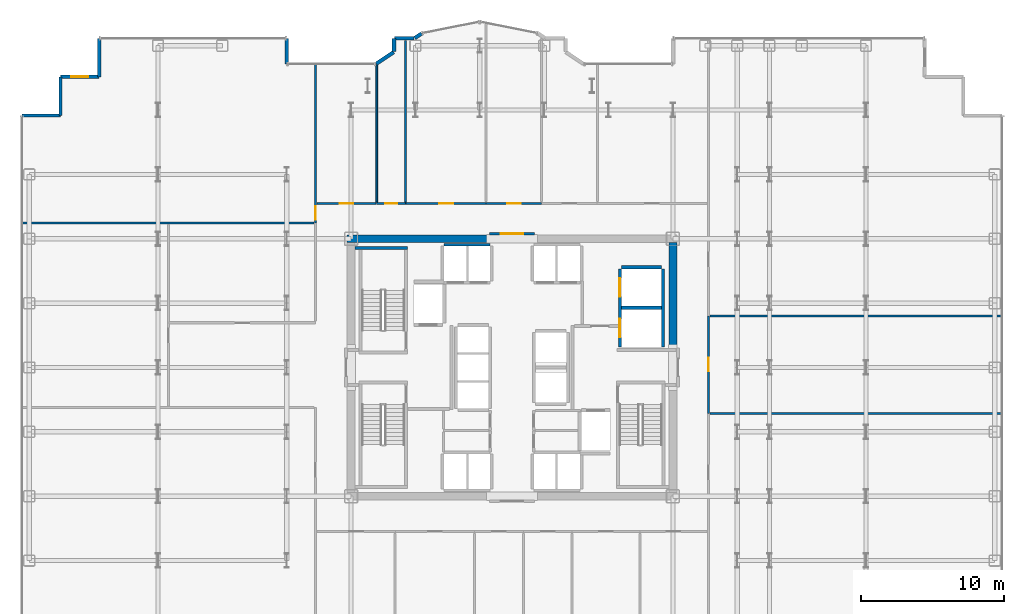
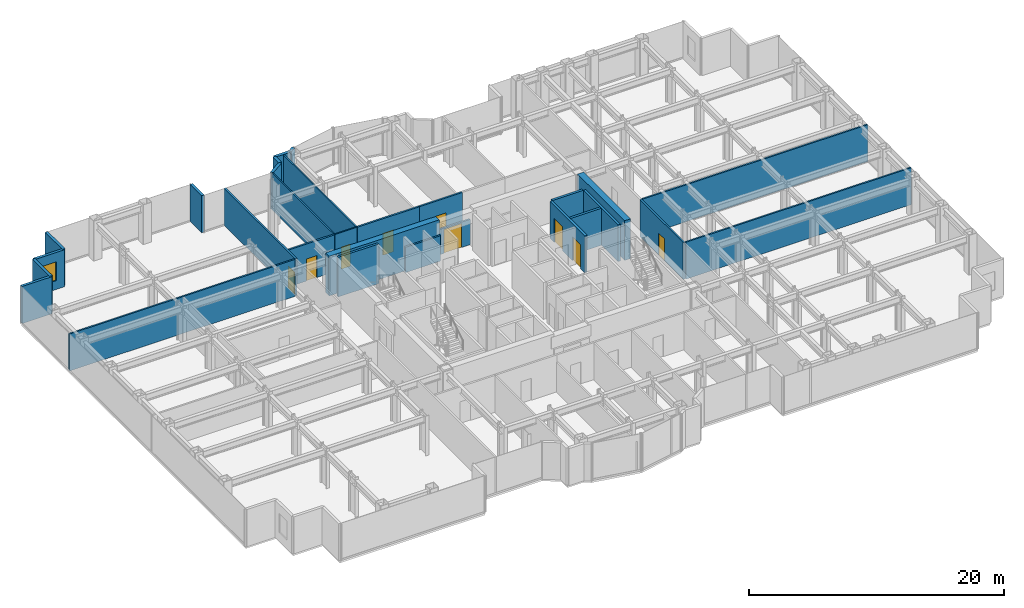
# One storey, part 23 of 25: 29 walls, 9 doors, 1 window, 10 openings.
"""IFC4 building model written with IfcOpenShell, lengths in metres."""

from ifc_helpers import new_model, si_unit, direction, frame, frame_2d, origin, place, context, subcontext, project, spatial, rectangle, extrude, source, transform, mapped, material, layer, layer_set, type_object, element, fill, save


model = new_model("IFC4")

# Units and contexts
model_context = context("Model", 3, precision=1e-05, world=origin(), true_north=direction((0.0, 1.0)))
body_context = subcontext(model_context, "Body", "Model", "MODEL_VIEW")
ifc_project = project(units=[si_unit("LENGTHUNIT", "METRE"), si_unit("AREAUNIT", "SQUARE_METRE"), si_unit("VOLUMEUNIT", "CUBIC_METRE"), si_unit("PLANEANGLEUNIT", "RADIAN"), si_unit("MASSUNIT", "GRAM", prefix="KILO")], contexts=[model_context])

# Site, building, storey
site_placement = place(None, origin())
site = spatial("IfcSite", under=ifc_project, at=site_placement, CompositionType="ELEMENT")
building_placement = place(site_placement, origin())
building = spatial("IfcBuilding", under=site, at=building_placement, Name="Nefas-Gora Pilgrimage Tower", CompositionType="ELEMENT")
storey_placement = place(building_placement, frame((0.0, 0.0, 109.800048828125)))
storey = spatial("IfcBuildingStorey", under=building, at=storey_placement, Name="L26", CompositionType="ELEMENT", Elevation=109.800048828125)

# Walls
ifc_material_1 = material(Name="Concrete C60/75", Category="concrete")
ifc_layer_1 = layer(ifc_material_1, 0.550048828125)
ifc_layer_set_1 = layer_set([ifc_layer_1], Name="Concrete C60/75")
wall_type_1 = type_object("IfcWallType", Name="SW-CORE-550", PredefinedType="SHEAR", material=ifc_layer_set_1)
shared_shape_1 = source(origin(), body_context, "Body", "SweptSolid", [
    extrude(rectangle(XDim=9.974853515625, YDim=0.550048828125, at=frame_2d((4.9873046875, 0.0))), origin(), (0.0, 0.0, 1.0), 3.800048828125),
])
wall_1_placement = place(storey_placement, frame((-11.52490234375, 9.0, 0.0), z_axis=(0.0, 0.0, 1.0), x_axis=(1.0, 0.0, 0.0)))
element("IfcWall", 1, at=wall_1_placement, inside=storey, type_object=wall_type_1, Name="L26 Core Shear Wall N-West", PredefinedType="SHEAR", context=body_context, shape_type="MappedRepresentation", body=[
    mapped(shared_shape_1, transform((0.0, 0.0, 0.0), x_axis=(1.0, 0.0, 0.0), y_axis=(0.0, 1.0, 0.0), z_axis=(0.0, 0.0, 1.0), scale=1.0)),
])
shared_shape_2 = source(origin(), body_context, "Body", "SweptSolid", [
    extrude(rectangle(XDim=7.375, YDim=0.550048828125, at=frame_2d((3.6875, 0.0))), origin(), (0.0, 0.0, 1.0), 3.800048828125),
])
wall_2_placement = place(storey_placement, frame((11.25, 1.35009765625, 0.0), z_axis=(0.0, 0.0, 1.0), x_axis=(0.0, 1.0, 0.0)))
element("IfcWall", 2, at=wall_2_placement, inside=storey, type_object=wall_type_1, Name="L26 Core Shear Wall E-North", PredefinedType="SHEAR", context=body_context, shape_type="MappedRepresentation", body=[
    mapped(shared_shape_2, transform((0.0, 0.0, 0.0), x_axis=(1.0, 0.0, 0.0), y_axis=(0.0, 1.0, 0.0), z_axis=(0.0, 0.0, 1.0), scale=1.0)),
])
ifc_material_2 = material(Name="Precast concrete C40/50", Category="concrete")
ifc_layer_2 = layer(ifc_material_2, 0.260009765625)
ifc_layer_set_2 = layer_set([ifc_layer_2], Name="Precast concrete C40/50")
wall_type_2 = type_object("IfcWallType", Name="EW-PORTAL-260", PredefinedType="SOLIDWALL", material=ifc_layer_set_2)
shared_shape_3 = source(origin(), body_context, "Body", "SweptSolid", [
    extrude(rectangle(XDim=1.800048828125, YDim=0.260009765625, at=frame_2d((0.89990234375, 0.0))), origin(), (0.0, 0.0, 1.0), 3.550048828125),
])
wall_3_placement = place(storey_placement, frame((-15.75, 21.219970703125, 0.0), z_axis=(0.0, 0.0, 1.0), x_axis=(0.0, 1.0, 0.0)))
element("IfcWall", 3, at=wall_3_placement, inside=storey, type_object=wall_type_2, Name="L26 Lobe Shoulder Precast Spandrel Pier 19", PredefinedType="SOLIDWALL", context=body_context, shape_type="MappedRepresentation", body=[
    mapped(shared_shape_3, transform((0.0, 0.0, 0.0), x_axis=(1.0, 0.0, 0.0), y_axis=(0.0, 1.0, 0.0), z_axis=(0.0, 0.0, 1.0), scale=1.0)),
])
ifc_material_3 = material(Name="Precast concrete C45/55", Category="concrete")
ifc_layer_3 = layer(ifc_material_3, 0.239990234375)
ifc_layer_set_3 = layer_set([ifc_layer_3], Name="Precast concrete C45/55")
wall_type_3 = type_object("IfcWallType", Name="EW-SERR-240", PredefinedType="SHEAR", material=ifc_layer_set_3)
shared_shape_4 = source(origin(), body_context, "Body", "SweptSolid", [
    extrude(rectangle(XDim=2.699951171875, YDim=0.239990234375, at=frame_2d((1.35009765625, 0.0))), origin(), (0.0, 0.0, 1.0), 3.550048828125),
])
wall_4_placement = place(storey_placement, frame((-28.8701171875, 23.02001953125, 0.0), z_axis=(0.0, 0.0, 1.0), x_axis=(0.0, -1.0, 0.0)))
element("IfcWall", 4, at=wall_4_placement, inside=storey, type_object=wall_type_3, Name="L26 Serrated Corner Shear Pier Wall 20", PredefinedType="SHEAR", context=body_context, shape_type="MappedRepresentation", body=[
    mapped(shared_shape_4, transform((0.0, 0.0, 0.0), x_axis=(1.0, 0.0, 0.0), y_axis=(0.0, 1.0, 0.0), z_axis=(0.0, 0.0, 1.0), scale=1.0)),
])

# Wall, opening, window
wall_5_placement = place(storey_placement, frame((-28.8701171875, 20.320068359375, 0.0), z_axis=(0.0, 0.0, 1.0), x_axis=(-1.0, 0.0, 0.0)))
wall_5 = element("IfcWall", 5, at=wall_5_placement, inside=storey, type_object=wall_type_3, Name="L26 Serrated Corner Shear Pier Wall 21", PredefinedType="SHEAR", context=body_context, shape_type="MappedRepresentation", body=[
    mapped(shared_shape_4, transform((0.0, 0.0, 0.0), x_axis=(1.0, 0.0, 0.0), y_axis=(0.0, 1.0, 0.0), z_axis=(0.0, 0.0, 1.0), scale=1.0)),
])
opening_1_placement = place(wall_5_placement, frame((0.75, 0.0, 0.85009765625)))
opening_1 = element("IfcOpeningElement", 6, at=opening_1_placement, cuts=wall_5, Name="Opening W-V1", PredefinedType="OPENING", context=body_context, shape_type="SweptSolid", body=[
    extrude(rectangle(XDim=1.199951171875, YDim=1.800048828125, at=frame_2d((0.60009765625, 0.89990234375))), frame((0.0, 0.1298828125, 0.0), z_axis=(0.0, -1.0, 0.0), x_axis=(1.0, 0.0, 0.0)), (0.0, 0.0, 1.0), 0.260009765625),
])
ifc_material_4 = material(Name="Dark ceramic-fritted operable aluminium-glass window", Category="aluminium")
window_type = type_object("IfcWindowType", Name="WIN-VENT-1200x1800", PartitioningType="SINGLE_PANEL", PredefinedType="WINDOW", material=ifc_material_4)
shared_shape_5 = source(origin(), body_context, "Body", "SweptSolid", [
    extrude(rectangle(XDim=1.199951171875, YDim=1.800048828125, at=frame_2d((0.60009765625, 0.89990234375))), frame((0.0, 0.030029296875, 0.0), z_axis=(0.0, -1.0, 0.0), x_axis=(1.0, 0.0, 0.0)), (0.0, 0.0, 1.0), 0.06005859375),
])
window_placement = place(opening_1_placement, origin())
window = element("IfcWindow", 7, at=window_placement, inside=storey, type_object=window_type, Name="L26 Operable Parallel-Outswing Window 21", OverallHeight=1.800048828125, OverallWidth=1.199951171875, PartitioningType="SINGLE_PANEL", PredefinedType="WINDOW", context=body_context, shape_type="MappedRepresentation", body=[
    mapped(shared_shape_5, transform((0.0, 0.0, 0.0), x_axis=(1.0, 0.0, 0.0), y_axis=(0.0, 1.0, 0.0), z_axis=(0.0, 0.0, 1.0), scale=1.0)),
])
fill(opening_1, window)

# Walls
for number, where, z_axis, x_axis, name in (
    (8, (-31.570068359375, 20.320068359375, 0.0), (0.0, 0.0, 1.0), (0.0, -1.0, 0.0), "L26 Serrated Corner Shear Pier Wall 22"),
    (9, (-31.570068359375, 17.6201171875, 0.0), (0.0, 0.0, 1.0), (-1.0, 0.0, 0.0), "L26 Serrated Corner Shear Pier Wall 23"),
):
    element("IfcWall", number, at=place(storey_placement, frame(where, z_axis=z_axis, x_axis=x_axis)), inside=storey, type_object=wall_type_3, Name=name, PredefinedType="SHEAR", context=body_context, shape_type="MappedRepresentation", body=[
        mapped(shared_shape_4, transform((0.0, 0.0, 0.0), x_axis=(1.0, 0.0, 0.0), y_axis=(0.0, 1.0, 0.0), z_axis=(0.0, 0.0, 1.0), scale=1.0)),
    ])
shared_shape_6 = source(origin(), body_context, "Body", "SweptSolid", [
    extrude(rectangle(XDim=1.468994140625, YDim=0.260009765625, at=frame_2d((0.734375, 0.0))), origin(), (0.0, 0.0, 1.0), 3.550048828125),
])
wall_6_placement = place(storey_placement, frame((-8.273193359375, 22.0517578125, 0.0), z_axis=(0.0, 0.0, 1.0), x_axis=(-0.831461760506, -0.555581983884, 0.0)))
element("IfcWall", 10, at=wall_6_placement, inside=storey, type_object=wall_type_2, Name="L26 Lobe Shoulder Precast Spandrel Pier 18", PredefinedType="SOLIDWALL", context=body_context, shape_type="MappedRepresentation", body=[
    mapped(shared_shape_6, transform((0.0, 0.0, 0.0), x_axis=(1.0, 0.0, 0.0), y_axis=(0.0, 1.0, 0.0), z_axis=(0.0, 0.0, 1.0), scale=1.0)),
])
shared_shape_7 = source(origin(), body_context, "Body", "SweptSolid", [
    extrude(rectangle(XDim=0.896728515625, YDim=0.260009765625, at=frame_2d((0.4482421875, 0.0))), origin(), (0.0, 0.0, 1.0), 3.550048828125),
])
wall_7_placement = place(storey_placement, frame((-8.25, 22.991943359375, 0.0), z_axis=(0.0, 0.0, 1.0), x_axis=(0.0, -1.0, 0.0)))
element("IfcWall", 11, at=wall_7_placement, inside=storey, type_object=wall_type_2, Name="L26 Lobe Shoulder Precast Spandrel Pier 17", PredefinedType="SOLIDWALL", context=body_context, shape_type="MappedRepresentation", body=[
    mapped(shared_shape_7, transform((0.0, 0.0, 0.0), x_axis=(1.0, 0.0, 0.0), y_axis=(0.0, 1.0, 0.0), z_axis=(0.0, 0.0, 1.0), scale=1.0)),
])
shared_shape_8 = source(origin(), body_context, "Body", "SweptSolid", [
    extrude(rectangle(XDim=1.369873046875, YDim=0.260009765625, at=frame_2d((0.68505859375, 0.0))), origin(), (0.0, 0.0, 1.0), 3.550048828125),
])
wall_8_placement = place(storey_placement, frame((-6.85205078125, 23.02001953125, 0.0), z_axis=(0.0, 0.0, 1.0), x_axis=(-1.0, 0.0, 0.0)))
element("IfcWall", 12, at=wall_8_placement, inside=storey, type_object=wall_type_2, Name="L26 Lobe Shoulder Precast Spandrel Pier 16", PredefinedType="SOLIDWALL", context=body_context, shape_type="MappedRepresentation", body=[
    mapped(shared_shape_8, transform((0.0, 0.0, 0.0), x_axis=(1.0, 0.0, 0.0), y_axis=(0.0, 1.0, 0.0), z_axis=(0.0, 0.0, 1.0), scale=1.0)),
])
shared_shape_9 = source(origin(), body_context, "Body", "SweptSolid", [
    extrude(rectangle(XDim=0.5654296875, YDim=0.260009765625, at=frame_2d((0.28271484375, 0.0))), origin(), (0.0, 0.0, 1.0), 3.550048828125),
])
wall_9_placement = place(storey_placement, frame((-6.33056640625, 23.349609375, 0.0), z_axis=(0.0, 0.0, 1.0), x_axis=(-0.831651492666, -0.555297933317, 0.0)))
element("IfcWall", 13, at=wall_9_placement, inside=storey, type_object=wall_type_2, Name="L26 Lobe Shoulder Precast Spandrel Pier 15", PredefinedType="SOLIDWALL", context=body_context, shape_type="MappedRepresentation", body=[
    mapped(shared_shape_9, transform((0.0, 0.0, 0.0), x_axis=(1.0, 0.0, 0.0), y_axis=(0.0, 1.0, 0.0), z_axis=(0.0, 0.0, 1.0), scale=1.0)),
])
ifc_material_5 = material(Name="Concrete C45/55", Category="concrete")
ifc_layer_4 = layer(ifc_material_5, 0.199951171875)
ifc_layer_set_4 = layer_set([ifc_layer_4], Name="Concrete C45/55")
wall_type_4 = type_object("IfcWallType", Name="IW-STAIR-200", PredefinedType="SOLIDWALL", material=ifc_layer_set_4)
shared_shape_10 = source(origin(), body_context, "Body", "SweptSolid", [
    extrude(rectangle(XDim=3.679931640625, YDim=0.199951171875, at=frame_2d((1.83984375, 0.0))), origin(), (0.0, 0.0, 1.0), 3.800048828125),
])
wall_10_placement = place(storey_placement, frame((-7.300048828125, 8.35009765625, 0.0), z_axis=(0.0, 0.0, 1.0), x_axis=(-1.0, 0.0, 0.0)))
element("IfcWall", 14, at=wall_10_placement, inside=storey, type_object=wall_type_4, Name="L26 Stairwell Shear Wall ST-01-far", PredefinedType="SOLIDWALL", context=body_context, shape_type="MappedRepresentation", body=[
    mapped(shared_shape_10, transform((0.0, 0.0, 0.0), x_axis=(1.0, 0.0, 0.0), y_axis=(0.0, 1.0, 0.0), z_axis=(0.0, 0.0, 1.0), scale=1.0)),
])

# Wall, openings, doors
ifc_material_6 = material(Name="Concrete C40/50", Category="concrete")
ifc_layer_5 = layer(ifc_material_6, 0.219970703125)
ifc_layer_set_5 = layer_set([ifc_layer_5], Name="Concrete C40/50")
wall_type_5 = type_object("IfcWallType", Name="IW-SHAFT-220", PredefinedType="SOLIDWALL", material=ifc_layer_set_5)
shared_shape_11 = source(origin(), body_context, "Body", "SweptSolid", [
    extrude(rectangle(XDim=5.449951171875, YDim=0.219970703125, at=frame_2d((2.72509765625, 0.0))), origin(), (0.0, 0.0, 1.0), 3.534912109375),
])
wall_11_placement = place(storey_placement, frame((7.5400390625, 6.89990234375, 0.0), z_axis=(0.0, 0.0, 1.0), x_axis=(0.0, -1.0, 0.0)))
wall_11 = element("IfcWall", 15, at=wall_11_placement, inside=storey, type_object=wall_type_5, Name="L26 Hoistway Wall SL-01-02-W", PredefinedType="SOLIDWALL", context=body_context, shape_type="MappedRepresentation", body=[
    mapped(shared_shape_11, transform((0.0, 0.0, 0.0), x_axis=(1.0, 0.0, 0.0), y_axis=(0.0, 1.0, 0.0), z_axis=(0.0, 0.0, 1.0), scale=1.0)),
])
opening_2_placement = place(wall_11_placement, frame((3.5, 0.0, 0.0)))
opening_2 = element("IfcOpeningElement", 16, at=opening_2_placement, cuts=wall_11, Name="Opening LD-SV", PredefinedType="OPENING", context=body_context, shape_type="SweptSolid", body=[
    extrude(rectangle(XDim=1.300048828125, YDim=2.300048828125, at=frame_2d((0.64990234375, 1.14990234375))), frame((0.0, 0.119873046875, 0.0), z_axis=(0.0, -1.0, 0.0), x_axis=(1.0, 0.0, 0.0)), (0.0, 0.0, 1.0), 0.239990234375),
])
opening_3_placement = place(wall_11_placement, frame((0.64990234375, 0.0, 0.0)))
opening_3 = element("IfcOpeningElement", 17, at=opening_3_placement, cuts=wall_11, Name="Opening LD-SV", PredefinedType="OPENING", context=body_context, shape_type="SweptSolid", body=[
    extrude(rectangle(XDim=1.300048828125, YDim=2.300048828125, at=frame_2d((0.64990234375, 1.14990234375))), frame((0.0, 0.119873046875, 0.0), z_axis=(0.0, -1.0, 0.0), x_axis=(1.0, 0.0, 0.0)), (0.0, 0.0, 1.0), 0.239990234375),
])
ifc_material_7 = material(Name="Heavy goods sliding lift landing door")
door_type_1 = type_object("IfcDoorType", Name="DR-LIFT-SERV-1300", OperationType="SLIDING_TO_RIGHT", PredefinedType="DOOR", material=ifc_material_7)
shared_shape_12 = source(origin(), body_context, "Body", "SweptSolid", [
    extrude(rectangle(XDim=1.300048828125, YDim=2.300048828125, at=frame_2d((0.64990234375, 1.14990234375))), frame((0.0, 0.02490234375, 0.0), z_axis=(0.0, -1.0, 0.0), x_axis=(1.0, 0.0, 0.0)), (0.0, 0.0, 1.0), 0.050048828125),
])
door_1_placement = place(opening_2_placement, origin())
door_1 = element("IfcDoor", 18, at=door_1_placement, inside=storey, type_object=door_type_1, Name="L26 Sliding Lift Landing Door SL-01", OperationType="SLIDING_TO_RIGHT", OverallHeight=2.300048828125, OverallWidth=1.300048828125, PredefinedType="DOOR", context=body_context, shape_type="MappedRepresentation", body=[
    mapped(shared_shape_12, transform((0.0, 0.0, 0.0), x_axis=(1.0, 0.0, 0.0), y_axis=(0.0, 1.0, 0.0), z_axis=(0.0, 0.0, 1.0), scale=1.0)),
])
fill(opening_2, door_1)
door_2_placement = place(opening_3_placement, origin())
door_2 = element("IfcDoor", 19, at=door_2_placement, inside=storey, type_object=door_type_1, Name="L26 Sliding Lift Landing Door SL-02", OperationType="SLIDING_TO_RIGHT", OverallHeight=2.300048828125, OverallWidth=1.300048828125, PredefinedType="DOOR", context=body_context, shape_type="MappedRepresentation", body=[
    mapped(shared_shape_12, transform((0.0, 0.0, 0.0), x_axis=(1.0, 0.0, 0.0), y_axis=(0.0, 1.0, 0.0), z_axis=(0.0, 0.0, 1.0), scale=1.0)),
])
fill(opening_3, door_2)

# Walls
wall_12_placement = place(storey_placement, frame((10.56005859375, 1.449951171875, 0.0), z_axis=(0.0, 0.0, 1.0), x_axis=(0.0, 1.0, 0.0)))
element("IfcWall", 20, at=wall_12_placement, inside=storey, type_object=wall_type_5, Name="L26 Hoistway Wall SL-01-02-E", PredefinedType="SOLIDWALL", context=body_context, shape_type="MappedRepresentation", body=[
    mapped(shared_shape_11, transform((0.0, 0.0, 0.0), x_axis=(1.0, 0.0, 0.0), y_axis=(0.0, 1.0, 0.0), z_axis=(0.0, 0.0, 1.0), scale=1.0)),
])
shared_shape_13 = source(origin(), body_context, "Body", "SweptSolid", [
    extrude(rectangle(XDim=2.780029296875, YDim=0.219970703125, at=frame_2d((1.39013671875, 0.0))), origin(), (0.0, 0.0, 1.0), 3.534912109375),
])
for number, where, z_axis, x_axis, name in (
    (21, (7.659912109375, 4.175048828125, 0.0), (0.0, 0.0, 1.0), (1.0, 0.0, 0.0), "L26 Hoistway Wall SL-01-02-DIV"),
    (22, (10.43994140625, 7.010009765625, 0.0), (0.0, 0.0, 1.0), (-1.0, 0.0, 0.0), "L26 Hoistway Wall SL-02-N"),
):
    element("IfcWall", number, at=place(storey_placement, frame(where, z_axis=z_axis, x_axis=x_axis)), inside=storey, type_object=wall_type_5, Name=name, PredefinedType="SOLIDWALL", context=body_context, shape_type="MappedRepresentation", body=[
        mapped(shared_shape_13, transform((0.0, 0.0, 0.0), x_axis=(1.0, 0.0, 0.0), y_axis=(0.0, 1.0, 0.0), z_axis=(0.0, 0.0, 1.0), scale=1.0)),
    ])
ifc_material_8 = material(Name="Gypsum acoustic stud partition")
ifc_layer_6 = layer(ifc_material_8, 0.159912109375)
ifc_layer_set_6 = layer_set([ifc_layer_6], Name="Gypsum acoustic stud partition")
wall_type_6 = type_object("IfcWallType", Name="IW-CORR-160", PredefinedType="PARTITIONING", material=ifc_layer_set_6)
shared_shape_14 = source(origin(), body_context, "Body", "SweptSolid", [
    extrude(rectangle(XDim=3.199951171875, YDim=0.159912109375, at=frame_2d((1.60009765625, 0.0))), origin(), (0.0, 0.0, 1.0), 2.425048828125),
])
wall_13_placement = place(storey_placement, frame((-1.550048828125, 8.580078125, 0.0), z_axis=(0.0, 0.0, 1.0), x_axis=(-1.0, 0.0, 0.0)))
element("IfcWall", 23, at=wall_13_placement, inside=storey, type_object=wall_type_6, Name="L26 Hoistway Wall PL1-W-N", PredefinedType="PARTITIONING", context=body_context, shape_type="MappedRepresentation", body=[
    mapped(shared_shape_14, transform((0.0, 0.0, 0.0), x_axis=(1.0, 0.0, 0.0), y_axis=(0.0, 1.0, 0.0), z_axis=(0.0, 0.0, 1.0), scale=1.0)),
])

# Wall, opening, door
ifc_material_9 = material(Name="Moisture-resistant fire-rated gypsum partition")
ifc_layer_7 = layer(ifc_material_9, 0.1201171875)
ifc_layer_set_7 = layer_set([ifc_layer_7], Name="Moisture-resistant fire-rated gypsum partition")
wall_type_7 = type_object("IfcWallType", Name="IW-WET-120", PredefinedType="PLUMBINGWALL", material=ifc_layer_set_7)
shared_shape_15 = source(origin(), body_context, "Body", "SweptSolid", [
    extrude(rectangle(XDim=2.02001953125, YDim=0.1201171875, at=frame_2d((1.010009765625, 0.0))), origin(), (0.0, 0.0, 1.0), 3.534912109375),
])
wall_14_placement = place(storey_placement, frame((-9.4599609375, 11.469970703125, 0.0), z_axis=(0.0, 0.0, 1.0), x_axis=(1.0, 0.0, 0.0)))
wall_14 = element("IfcWall", 24, at=wall_14_placement, inside=storey, type_object=wall_type_7, Name="L26 Accessible Unisex WC Partition Wall 25", PredefinedType="PLUMBINGWALL", context=body_context, shape_type="MappedRepresentation", body=[
    mapped(shared_shape_15, transform((0.0, 0.0, 0.0), x_axis=(1.0, 0.0, 0.0), y_axis=(0.0, 1.0, 0.0), z_axis=(0.0, 0.0, 1.0), scale=1.0)),
])
opening_4_placement = place(wall_14_placement, frame((0.5849609375, 0.0, 0.0)))
opening_4 = element("IfcOpeningElement", 25, at=opening_4_placement, cuts=wall_14, Name="Opening ID-BT1", PredefinedType="OPENING", context=body_context, shape_type="SweptSolid", body=[
    extrude(rectangle(XDim=0.85009765625, YDim=2.10009765625, at=frame_2d((0.425048828125, 1.050048828125))), frame((0.0, 0.070068359375, 0.0), z_axis=(0.0, -1.0, 0.0), x_axis=(1.0, 0.0, 0.0)), (0.0, 0.0, 1.0), 0.14013671875),
])
ifc_material_10 = material(Name="Moisture-resistant fire-rated timber door", Category="wood")
door_type_2 = type_object("IfcDoorType", Name="DR-INT-BATH-850", OperationType="NOTDEFINED", PredefinedType="DOOR", material=ifc_material_10)
shared_shape_16 = source(origin(), body_context, "Body", "SweptSolid", [
    extrude(rectangle(XDim=0.85009765625, YDim=2.10009765625, at=frame_2d((0.425048828125, 1.050048828125))), frame((0.0, 0.02490234375, 0.0), z_axis=(0.0, -1.0, 0.0), x_axis=(1.0, 0.0, 0.0)), (0.0, 0.0, 1.0), 0.050048828125),
])
door_3_placement = place(opening_4_placement, origin())
door_3 = element("IfcDoor", 26, at=door_3_placement, inside=storey, type_object=door_type_2, Name="L26 Accessible Unisex WC Door 10", OperationType="SINGLE_SWING_RIGHT", OverallHeight=2.10009765625, OverallWidth=0.85009765625, PredefinedType="DOOR", context=body_context, shape_type="MappedRepresentation", body=[
    mapped(shared_shape_16, transform((0.0, 0.0, 0.0), x_axis=(1.0, 0.0, 0.0), y_axis=(0.0, 1.0, 0.0), z_axis=(0.0, 0.0, 1.0), scale=1.0)),
])
fill(opening_4, door_3)

# Walls
shared_shape_17 = source(origin(), body_context, "Body", "SweptSolid", [
    extrude(rectangle(XDim=11.280029296875, YDim=0.1201171875, at=frame_2d((5.64013671875, 0.0))), origin(), (0.0, 0.0, 1.0), 3.534912109375),
])
wall_15_placement = place(storey_placement, frame((-7.449951171875, 11.570068359375, 0.0), z_axis=(0.0, 0.0, 1.0), x_axis=(0.0, 1.0, 0.0)))
element("IfcWall", 27, at=wall_15_placement, inside=storey, type_object=wall_type_7, Name="L26 Accessible Unisex WC Partition Wall 26", PredefinedType="PLUMBINGWALL", context=body_context, shape_type="MappedRepresentation", body=[
    mapped(shared_shape_17, transform((0.0, 0.0, 0.0), x_axis=(1.0, 0.0, 0.0), y_axis=(0.0, 1.0, 0.0), z_axis=(0.0, 0.0, 1.0), scale=1.0)),
])
shared_shape_18 = source(origin(), body_context, "Body", "SweptSolid", [
    extrude(rectangle(XDim=9.586669921875, YDim=0.1201171875, at=frame_2d((4.79345703125, 0.0))), origin(), (0.0, 0.0, 1.0), 3.534912109375),
])
wall_16_placement = place(storey_placement, frame((-9.449951171875, 11.570068359375, 0.0), z_axis=(0.0, 0.0, 1.0), x_axis=(0.0, 1.0, 0.0)))
element("IfcWall", 28, at=wall_16_placement, inside=storey, type_object=wall_type_7, Name="L26 Accessible Unisex WC Partition Wall 27", PredefinedType="PLUMBINGWALL", context=body_context, shape_type="MappedRepresentation", body=[
    mapped(shared_shape_18, transform((0.0, 0.0, 0.0), x_axis=(1.0, 0.0, 0.0), y_axis=(0.0, 1.0, 0.0), z_axis=(0.0, 0.0, 1.0), scale=1.0)),
])

# Wall, opening, door
shared_shape_19 = source(origin(), body_context, "Body", "SweptSolid", [
    extrude(rectangle(XDim=4.125, YDim=0.159912109375, at=frame_2d((2.0625, 0.0))), origin(), (0.0, 0.0, 1.0), 3.534912109375),
])
wall_17_placement = place(storey_placement, frame((-13.6201171875, 11.469970703125, 0.0), z_axis=(0.0, 0.0, 1.0), x_axis=(1.0, 0.0, 0.0)))
wall_17 = element("IfcWall", 29, at=wall_17_placement, inside=storey, type_object=wall_type_6, Name="L26 Pilgrim Fellowship Seminar Room Partition Wall 40", PredefinedType="PARTITIONING", context=body_context, shape_type="MappedRepresentation", body=[
    mapped(shared_shape_19, transform((0.0, 0.0, 0.0), x_axis=(1.0, 0.0, 0.0), y_axis=(0.0, 1.0, 0.0), z_axis=(0.0, 0.0, 1.0), scale=1.0)),
])
opening_5_placement = place(wall_17_placement, frame((1.58740234375, 0.0, 0.0)))
opening_5 = element("IfcOpeningElement", 30, at=opening_5_placement, cuts=wall_17, Name="Opening ID-GR1", PredefinedType="OPENING", context=body_context, shape_type="SweptSolid", body=[
    extrude(rectangle(XDim=0.949951171875, YDim=2.10009765625, at=frame_2d((0.47509765625, 1.050048828125))), frame((0.0, 0.08984375, 0.0), z_axis=(0.0, -1.0, 0.0), x_axis=(1.0, 0.0, 0.0)), (0.0, 0.0, 1.0), 0.179931640625),
])
ifc_material_11 = material(Name="Solid core oak fire-rated guest entrance door")
door_type_3 = type_object("IfcDoorType", Name="DR-INT-GUEST-950", OperationType="NOTDEFINED", PredefinedType="DOOR", material=ifc_material_11)
shared_shape_20 = source(origin(), body_context, "Body", "SweptSolid", [
    extrude(rectangle(XDim=0.949951171875, YDim=2.10009765625, at=frame_2d((0.47509765625, 1.050048828125))), frame((0.0, 0.02490234375, 0.0), z_axis=(0.0, -1.0, 0.0), x_axis=(1.0, 0.0, 0.0)), (0.0, 0.0, 1.0), 0.050048828125),
])
door_4_placement = place(opening_5_placement, origin())
door_4 = element("IfcDoor", 31, at=door_4_placement, inside=storey, type_object=door_type_3, Name="L26 Pilgrim Fellowship Seminar Room Door 18", OperationType="SINGLE_SWING_RIGHT", OverallHeight=2.10009765625, OverallWidth=0.949951171875, PredefinedType="DOOR", context=body_context, shape_type="MappedRepresentation", body=[
    mapped(shared_shape_20, transform((0.0, 0.0, 0.0), x_axis=(1.0, 0.0, 0.0), y_axis=(0.0, 1.0, 0.0), z_axis=(0.0, 0.0, 1.0), scale=1.0)),
])
fill(opening_5, door_4)

# Walls
ifc_material_12 = material(Name="Gypsum twin-stud partition")
ifc_layer_8 = layer(ifc_material_12, 0.139892578125)
ifc_layer_set_8 = layer_set([ifc_layer_8], Name="Gypsum twin-stud partition")
wall_type_8 = type_object("IfcWallType", Name="IW-UNIT-140", PredefinedType="PARTITIONING", material=ifc_layer_set_8)
shared_shape_21 = source(origin(), body_context, "Body", "SweptSolid", [
    extrude(rectangle(XDim=20.429931640625, YDim=0.139892578125, at=frame_2d((10.21484375, 0.0))), origin(), (0.0, 0.0, 1.0), 3.534912109375),
])
for number, where, z_axis, x_axis, name in (
    (32, (-34.2900390625, 10.097412109375, 0.0), (0.0, 0.0, 1.0), (1.0, 0.0, 0.0), "L26 Pilgrim Floor Concierge Foyer Partition Wall 31"),
    (33, (13.860107421875, -3.205078125, 0.0), (0.0, 0.0, 1.0), (1.0, 0.0, 0.0), "L26 Pilgrim Fellowship Seminar Room Partition Wall 36"),
    (34, (13.860107421875, 3.594970703125, 0.0), (0.0, 0.0, 1.0), (1.0, 0.0, 0.0), "L26 Pilgrim Fellowship Seminar Room Partition Wall 38"),
):
    element("IfcWall", number, at=place(storey_placement, frame(where, z_axis=z_axis, x_axis=x_axis)), inside=storey, type_object=wall_type_8, Name=name, PredefinedType="PARTITIONING", context=body_context, shape_type="MappedRepresentation", body=[
        mapped(shared_shape_21, transform((0.0, 0.0, 0.0), x_axis=(1.0, 0.0, 0.0), y_axis=(0.0, 1.0, 0.0), z_axis=(0.0, 0.0, 1.0), scale=1.0)),
    ])

# Wall, opening, door
shared_shape_22 = source(origin(), body_context, "Body", "SweptSolid", [
    extrude(rectangle(XDim=3.16015625, YDim=0.159912109375, at=frame_2d((1.580078125, 0.0))), origin(), (0.0, 0.0, 1.0), 2.425048828125),
])
wall_18_placement = place(storey_placement, frame((-1.580078125, 9.35009765625, 0.0), z_axis=(0.0, 0.0, 1.0), x_axis=(1.0, 0.0, 0.0)))
wall_18 = element("IfcWall", 35, at=wall_18_placement, inside=storey, type_object=wall_type_6, Name="L26 Central Lift Lobby North Portal Wall 13", PredefinedType="PARTITIONING", context=body_context, shape_type="MappedRepresentation", body=[
    mapped(shared_shape_22, transform((0.0, 0.0, 0.0), x_axis=(1.0, 0.0, 0.0), y_axis=(0.0, 1.0, 0.0), z_axis=(0.0, 0.0, 1.0), scale=1.0)),
])
opening_6_placement = place(wall_18_placement, frame((0.780029296875, 0.0, 0.0)))
opening_6 = element("IfcOpeningElement", 36, at=opening_6_placement, cuts=wall_18, Name="Opening ID-HL1", PredefinedType="OPENING", context=body_context, shape_type="SweptSolid", body=[
    extrude(rectangle(XDim=1.60009765625, YDim=2.300048828125, at=frame_2d((0.800048828125, 1.14990234375))), frame((0.0, 0.08984375, 0.0), z_axis=(0.0, -1.0, 0.0), x_axis=(1.0, 0.0, 0.0)), (0.0, 0.0, 1.0), 0.179931640625),
])
ifc_material_13 = material(Name="Double acoustic timber assembly hall door", Category="wood")
door_type_4 = type_object("IfcDoorType", Name="DR-INT-HALL-1600", OperationType="DOUBLE_DOOR_SINGLE_SWING", PredefinedType="DOOR", material=ifc_material_13)
shared_shape_23 = source(origin(), body_context, "Body", "SweptSolid", [
    extrude(rectangle(XDim=1.60009765625, YDim=2.300048828125, at=frame_2d((0.800048828125, 1.14990234375))), frame((0.0, 0.02490234375, 0.0), z_axis=(0.0, -1.0, 0.0), x_axis=(1.0, 0.0, 0.0)), (0.0, 0.0, 1.0), 0.050048828125),
])
door_5_placement = place(opening_6_placement, origin())
door_5 = element("IfcDoor", 37, at=door_5_placement, inside=storey, type_object=door_type_4, Name="L26 Central Lift Lobby North Portal Door 4", OperationType="DOUBLE_DOOR_SINGLE_SWING", OverallHeight=2.300048828125, OverallWidth=1.60009765625, PredefinedType="DOOR", context=body_context, shape_type="MappedRepresentation", body=[
    mapped(shared_shape_23, transform((0.0, 0.0, 0.0), x_axis=(1.0, 0.0, 0.0), y_axis=(0.0, 1.0, 0.0), z_axis=(0.0, 0.0, 1.0), scale=1.0)),
])
fill(opening_6, door_5)

shared_shape_24 = source(origin(), body_context, "Body", "SweptSolid", [
    extrude(rectangle(XDim=5.610107421875, YDim=0.159912109375, at=frame_2d((2.80517578125, 0.0))), origin(), (0.0, 0.0, 1.0), 3.534912109375),
])
wall_19_placement = place(storey_placement, frame((-7.405029296875, 11.469970703125, 0.0), z_axis=(0.0, 0.0, 1.0), x_axis=(1.0, 0.0, 0.0)))
wall_19 = element("IfcWall", 38, at=wall_19_placement, inside=storey, type_object=wall_type_6, Name="L26 Pilgrim Contemplative Lounge Partition Wall 41", PredefinedType="PARTITIONING", context=body_context, shape_type="MappedRepresentation", body=[
    mapped(shared_shape_24, transform((0.0, 0.0, 0.0), x_axis=(1.0, 0.0, 0.0), y_axis=(0.0, 1.0, 0.0), z_axis=(0.0, 0.0, 1.0), scale=1.0)),
])
opening_7_placement = place(wall_19_placement, frame((2.330078125, 0.0, 0.0)))
opening_7 = element("IfcOpeningElement", 39, at=opening_7_placement, cuts=wall_19, Name="Opening ID-GR1", PredefinedType="OPENING", context=body_context, shape_type="SweptSolid", body=[
    extrude(rectangle(XDim=0.949951171875, YDim=2.10009765625, at=frame_2d((0.47509765625, 1.050048828125))), frame((0.0, 0.08984375, 0.0), z_axis=(0.0, -1.0, 0.0), x_axis=(1.0, 0.0, 0.0)), (0.0, 0.0, 1.0), 0.179931640625),
])
door_6_placement = place(opening_7_placement, origin())
door_6 = element("IfcDoor", 40, at=door_6_placement, inside=storey, type_object=door_type_3, Name="L26 Pilgrim Contemplative Lounge Door 19", OperationType="SINGLE_SWING_LEFT", OverallHeight=2.10009765625, OverallWidth=0.949951171875, PredefinedType="DOOR", context=body_context, shape_type="MappedRepresentation", body=[
    mapped(shared_shape_20, transform((0.0, 0.0, 0.0), x_axis=(1.0, 0.0, 0.0), y_axis=(0.0, 1.0, 0.0), z_axis=(0.0, 0.0, 1.0), scale=1.0)),
])
fill(opening_7, door_6)

shared_shape_25 = source(origin(), body_context, "Body", "SweptSolid", [
    extrude(rectangle(XDim=11.152587890625, YDim=0.159912109375, at=frame_2d((5.576171875, 0.0))), origin(), (0.0, 0.0, 1.0), 3.534912109375),
])
wall_20_placement = place(storey_placement, frame((-13.739990234375, 10.08740234375, 0.0), z_axis=(0.0, 0.0, 1.0), x_axis=(0.0, 1.0, 0.0)))
wall_20 = element("IfcWall", 41, at=wall_20_placement, inside=storey, type_object=wall_type_6, Name="L26 Pilgrim Floor Concierge Foyer Partition Wall 30", PredefinedType="PARTITIONING", context=body_context, shape_type="MappedRepresentation", body=[
    mapped(shared_shape_25, transform((0.0, 0.0, 0.0), x_axis=(1.0, 0.0, 0.0), y_axis=(0.0, 1.0, 0.0), z_axis=(0.0, 0.0, 1.0), scale=1.0)),
])
opening_8_placement = place(wall_20_placement, frame((0.236083984375, 0.0, 0.0)))
opening_8 = element("IfcOpeningElement", 42, at=opening_8_placement, cuts=wall_20, Name="Opening ID-GR1", PredefinedType="OPENING", context=body_context, shape_type="SweptSolid", body=[
    extrude(rectangle(XDim=0.949951171875, YDim=2.10009765625, at=frame_2d((0.47509765625, 1.050048828125))), frame((0.0, 0.08984375, 0.0), z_axis=(0.0, -1.0, 0.0), x_axis=(1.0, 0.0, 0.0)), (0.0, 0.0, 1.0), 0.179931640625),
])
door_7_placement = place(opening_8_placement, origin())
door_7 = element("IfcDoor", 43, at=door_7_placement, inside=storey, type_object=door_type_3, Name="L26 Pilgrim Floor Concierge Foyer Door 12", OperationType="SINGLE_SWING_RIGHT", OverallHeight=2.10009765625, OverallWidth=0.949951171875, PredefinedType="DOOR", context=body_context, shape_type="MappedRepresentation", body=[
    mapped(shared_shape_20, transform((0.0, 0.0, 0.0), x_axis=(1.0, 0.0, 0.0), y_axis=(0.0, 1.0, 0.0), z_axis=(0.0, 0.0, 1.0), scale=1.0)),
])
fill(opening_8, door_7)

shared_shape_26 = source(origin(), body_context, "Body", "SweptSolid", [
    extrude(rectangle(XDim=6.81005859375, YDim=0.159912109375, at=frame_2d((3.405029296875, 0.0))), origin(), (0.0, 0.0, 1.0), 3.534912109375),
])
wall_21_placement = place(storey_placement, frame((13.739990234375, -3.205078125, 0.0), z_axis=(0.0, 0.0, 1.0), x_axis=(0.0, 1.0, 0.0)))
wall_21 = element("IfcWall", 44, at=wall_21_placement, inside=storey, type_object=wall_type_6, Name="L26 Pilgrim Fellowship Seminar Room Partition Wall 37", PredefinedType="PARTITIONING", context=body_context, shape_type="MappedRepresentation", body=[
    mapped(shared_shape_26, transform((0.0, 0.0, 0.0), x_axis=(1.0, 0.0, 0.0), y_axis=(0.0, 1.0, 0.0), z_axis=(0.0, 0.0, 1.0), scale=1.0)),
])
opening_9_placement = place(wall_21_placement, frame((2.929931640625, 0.0, 0.0)))
opening_9 = element("IfcOpeningElement", 45, at=opening_9_placement, cuts=wall_21, Name="Opening ID-GR1", PredefinedType="OPENING", context=body_context, shape_type="SweptSolid", body=[
    extrude(rectangle(XDim=0.949951171875, YDim=2.10009765625, at=frame_2d((0.47509765625, 1.050048828125))), frame((0.0, 0.08984375, 0.0), z_axis=(0.0, -1.0, 0.0), x_axis=(1.0, 0.0, 0.0)), (0.0, 0.0, 1.0), 0.179931640625),
])
door_8_placement = place(opening_9_placement, origin())
door_8 = element("IfcDoor", 46, at=door_8_placement, inside=storey, type_object=door_type_3, Name="L26 Pilgrim Fellowship Seminar Room Door 16", OperationType="SINGLE_SWING_RIGHT", OverallHeight=2.10009765625, OverallWidth=0.949951171875, PredefinedType="DOOR", context=body_context, shape_type="MappedRepresentation", body=[
    mapped(shared_shape_20, transform((0.0, 0.0, 0.0), x_axis=(1.0, 0.0, 0.0), y_axis=(0.0, 1.0, 0.0), z_axis=(0.0, 0.0, 1.0), scale=1.0)),
])
fill(opening_9, door_8)

shared_shape_27 = source(origin(), body_context, "Body", "SweptSolid", [
    extrude(rectangle(XDim=3.88232421875, YDim=0.159912109375, at=frame_2d((1.941162109375, 0.0))), origin(), (0.0, 0.0, 1.0), 3.534912109375),
])
wall_22_placement = place(storey_placement, frame((-1.804931640625, 11.469970703125, 0.0), z_axis=(0.0, 0.0, 1.0), x_axis=(1.0, 0.0, 0.0)))
wall_22 = element("IfcWall", 47, at=wall_22_placement, inside=storey, type_object=wall_type_6, Name="L26 Pilgrim Contemplative Lounge Partition Wall 45", PredefinedType="PARTITIONING", context=body_context, shape_type="MappedRepresentation", body=[
    mapped(shared_shape_27, transform((0.0, 0.0, 0.0), x_axis=(1.0, 0.0, 0.0), y_axis=(0.0, 1.0, 0.0), z_axis=(0.0, 0.0, 1.0), scale=1.0)),
])
opening_10_placement = place(wall_22_placement, frame((1.46630859375, 0.0, 0.0)))
opening_10 = element("IfcOpeningElement", 48, at=opening_10_placement, cuts=wall_22, Name="Opening ID-GR1", PredefinedType="OPENING", context=body_context, shape_type="SweptSolid", body=[
    extrude(rectangle(XDim=0.949951171875, YDim=2.10009765625, at=frame_2d((0.47509765625, 1.050048828125))), frame((0.0, 0.08984375, 0.0), z_axis=(0.0, -1.0, 0.0), x_axis=(1.0, 0.0, 0.0)), (0.0, 0.0, 1.0), 0.179931640625),
])
door_9_placement = place(opening_10_placement, origin())
door_9 = element("IfcDoor", 49, at=door_9_placement, inside=storey, type_object=door_type_3, Name="L26 Pilgrim Contemplative Lounge Door 21", OperationType="SINGLE_SWING_LEFT", OverallHeight=2.10009765625, OverallWidth=0.949951171875, PredefinedType="DOOR", context=body_context, shape_type="MappedRepresentation", body=[
    mapped(shared_shape_20, transform((0.0, 0.0, 0.0), x_axis=(1.0, 0.0, 0.0), y_axis=(0.0, 1.0, 0.0), z_axis=(0.0, 0.0, 1.0), scale=1.0)),
])
fill(opening_10, door_9)

save(model, "model.ifc")
